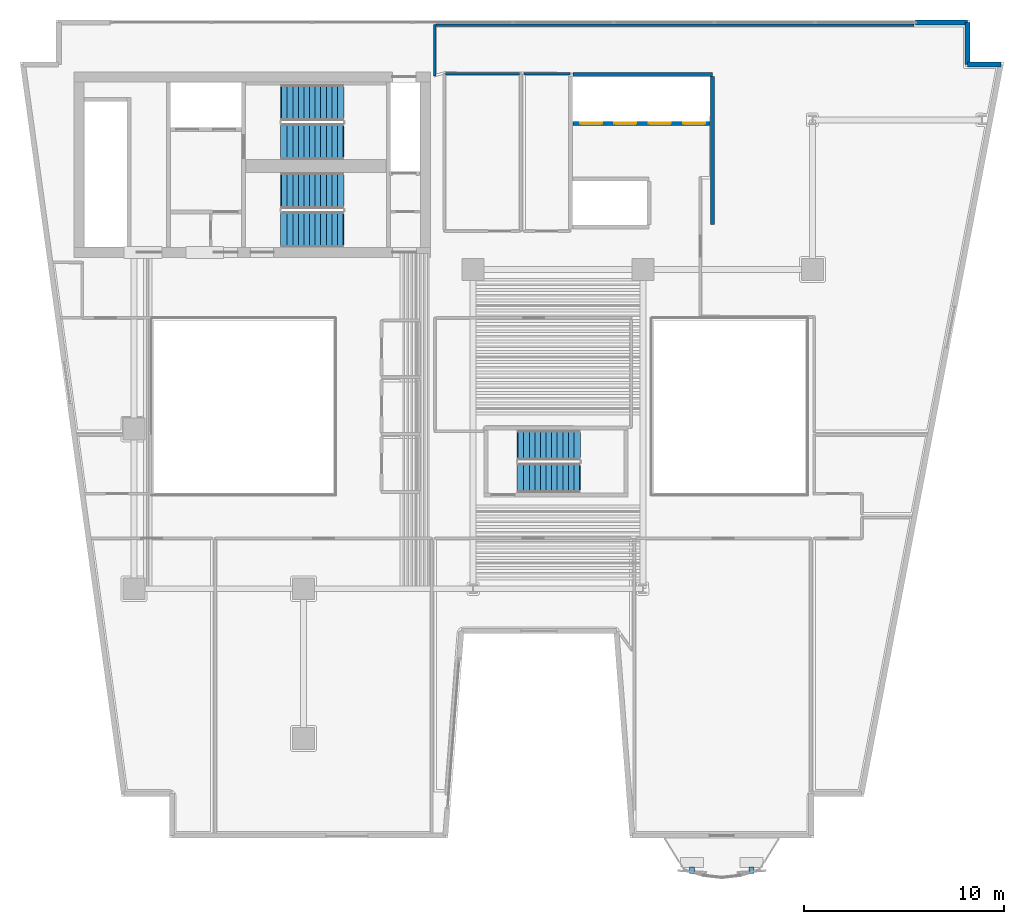
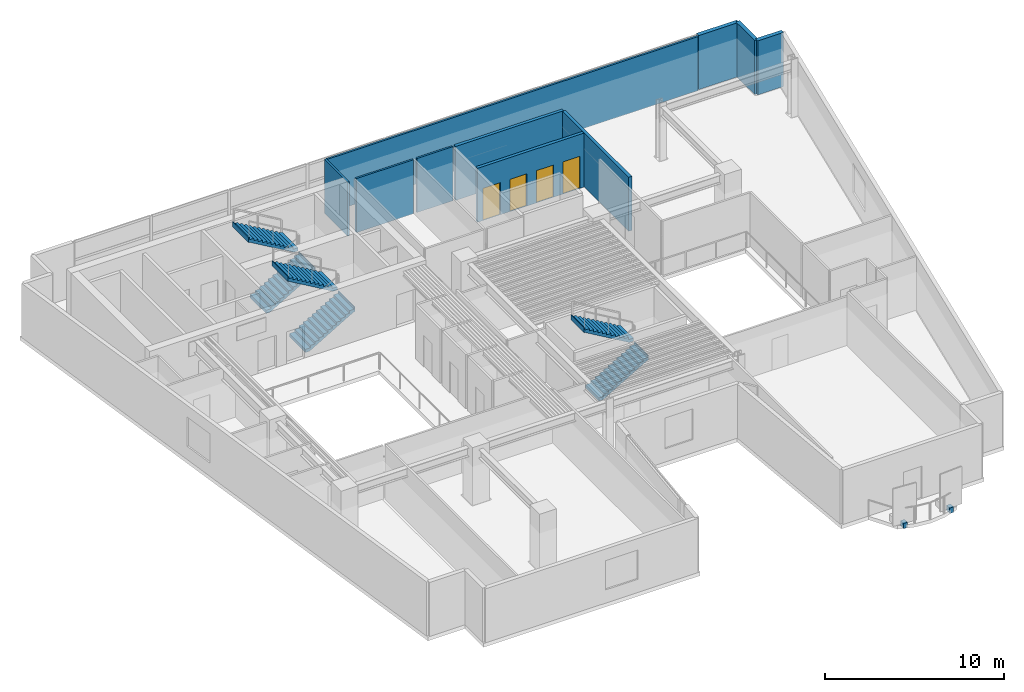
# One storey, part 8 of 13: 10 walls, 6 stair flights, 4 doors, 2 discrete accessories, 4 openings, 3 elements without a shape of their own.
"""IFC4 building model written with IfcOpenShell, lengths in metres."""

from ifc_helpers import new_model, si_unit, direction, frame, frame_2d, origin, origin_2d, place, context, subcontext, project, spatial, polyline, rectangle, outline, extrude, material, layer, layer_set, type_object, element, fill, aggregate, save


model = new_model("IFC4")

# Units and contexts
model_context = context("Model", 3, precision=1e-05, world=origin(), true_north=direction((0.0, 1.0)))
body_context = subcontext(model_context, "Body", "Model", "MODEL_VIEW")
ifc_project = project(units=[si_unit("LENGTHUNIT", "METRE"), si_unit("AREAUNIT", "SQUARE_METRE"), si_unit("VOLUMEUNIT", "CUBIC_METRE"), si_unit("PLANEANGLEUNIT", "RADIAN"), si_unit("MASSUNIT", "GRAM", prefix="KILO")], contexts=[model_context])

# Site, building, storey
site_placement = place(None, origin())
site = spatial("IfcSite", under=ifc_project, at=site_placement, CompositionType="ELEMENT")
building_placement = place(site_placement, origin())
building = spatial("IfcBuilding", under=site, at=building_placement, Name="Caeloran Harvest Quay", CompositionType="ELEMENT")
storey_placement = place(building_placement, frame((0.0, 0.0, 123.25)))
storey = spatial("IfcBuildingStorey", under=building, at=storey_placement, Name="L28", CompositionType="ELEMENT", Elevation=123.25)

# Walls
ifc_material_1 = material(Name="Precast concrete C50/60", Category="concrete")
ifc_layer_1 = layer(ifc_material_1, 0.260009765625, Name="Precast concrete C50/60")
ifc_layer_set_1 = layer_set([ifc_layer_1], Name="Precast concrete C50/60")
wall_type_1 = type_object("IfcWallType", Name="ENV-WALL-EW-260", PredefinedType="STANDARD", material=ifc_layer_set_1)
wall_1_placement = place(storey_placement, frame((47.669921875, 43.3701171875, 0.0), z_axis=(0.0, 0.0, 1.0), x_axis=(1.0, 0.0, 0.0)))
element("IfcWall", 1, at=wall_1_placement, inside=storey, type_object=wall_type_1, Name="L28 Exterior Facade Corner Pier Wall 6B", PredefinedType="STANDARD", context=body_context, shape_type="SweptSolid", body=[
    extrude(rectangle(XDim=2.60009765625, YDim=0.260009765625, at=frame_2d((1.300048828125, 0.0))), origin(), (0.0, 0.0, 1.0), 3.68994140625),
])
wall_2_placement = place(storey_placement, frame((50.27001953125, 43.3701171875, 0.0), z_axis=(0.0, 0.0, 1.0), x_axis=(0.0, -1.0, 0.0)))
element("IfcWall", 2, at=wall_2_placement, inside=storey, type_object=wall_type_1, Name="L28 Exterior Precast Concrete Facade Wall 7", PredefinedType="STANDARD", context=body_context, shape_type="SweptSolid", body=[
    extrude(rectangle(XDim=2.10009765625, YDim=0.260009765625, at=frame_2d((1.050048828125, 0.0))), origin(), (0.0, 0.0, 1.0), 3.68994140625),
])
wall_3_placement = place(storey_placement, frame((50.27001953125, 41.27001953125, 0.0), z_axis=(0.0, 0.0, 1.0), x_axis=(1.0, 0.0, 0.0)))
element("IfcWall", 3, at=wall_3_placement, inside=storey, type_object=wall_type_1, Name="L28 Exterior Precast Concrete Facade Wall 8", PredefinedType="STANDARD", context=body_context, shape_type="SweptSolid", body=[
    extrude(rectangle(XDim=1.671875, YDim=0.260009765625, at=frame_2d((0.8359375, 0.0))), origin(), (0.0, 0.0, 1.0), 3.68994140625),
])
ifc_material_2 = material(Name="Twin-Stud Mineral-Wool Acoustic Gypsum Partition", Category="gypsum")
ifc_layer_2 = layer(ifc_material_2, 0.125, Name="Twin-Stud Mineral-Wool Acoustic Gypsum Partition")
ifc_layer_set_2 = layer_set([ifc_layer_2], Name="Twin-Stud Mineral-Wool Acoustic Gypsum Partition")
wall_type_2 = type_object("IfcWallType", Name="INT-WALL-PW-125", PredefinedType="PARTITIONING", material=ifc_layer_set_2)
wall_4_placement = place(storey_placement, frame((24.117431640625, 40.800048828125, 0.0), z_axis=(0.0, 0.0, 1.0), x_axis=(1.0, 0.0, 0.0)))
element("IfcWall", 4, at=wall_4_placement, inside=storey, type_object=wall_type_2, Name="L28 Crop Phenotyping West Laboratory Partition Wall", PredefinedType="PARTITIONING", context=body_context, shape_type="SweptSolid", body=[
    extrude(rectangle(XDim=3.695068359375, YDim=0.125, at=frame_2d((1.84765625, 0.0))), origin(), (0.0, 0.0, 1.0), 3.68994140625),
])
wall_5_placement = place(storey_placement, frame((28.0400390625, 40.800048828125, 0.0), z_axis=(0.0, 0.0, 1.0), x_axis=(1.0, 0.0, 0.0)))
element("IfcWall", 5, at=wall_5_placement, inside=storey, type_object=wall_type_2, Name="L28 Genomics Sequencing East Studio Partition Wall", PredefinedType="PARTITIONING", context=body_context, shape_type="SweptSolid", body=[
    extrude(rectangle(XDim=2.31005859375, YDim=0.125, at=frame_2d((1.155029296875, 0.0))), origin(), (0.0, 0.0, 1.0), 3.68994140625),
])
wall_6_placement = place(storey_placement, frame((23.580078125, 40.693115234375, 0.0), z_axis=(0.0, 0.0, 1.0), x_axis=(0.0, 1.0, 0.0)))
element("IfcWall", 6, at=wall_6_placement, inside=storey, type_object=wall_type_2, Name="Controlled-Climate Simulation Lab 10 Partition Wall", PredefinedType="PARTITIONING", context=body_context, shape_type="SweptSolid", body=[
    extrude(rectangle(XDim=2.57177734375, YDim=0.125, at=frame_2d((1.285888671875, 0.0))), origin(), (0.0, 0.0, 1.0), 3.68994140625),
])
wall_7_placement = place(storey_placement, frame((23.6474609375, 43.239990234375, 0.0), z_axis=(0.0, 0.0, 1.0), x_axis=(1.0, 0.0, 0.0)))
element("IfcWall", 7, at=wall_7_placement, inside=storey, type_object=wall_type_2, Name="Controlled-Climate Simulation Lab 10 Partition Wall", PredefinedType="PARTITIONING", context=body_context, shape_type="SweptSolid", body=[
    extrude(rectangle(XDim=23.947998046875, YDim=0.125, at=frame_2d((11.97412109375, 0.0))), origin(), (0.0, 0.0, 1.0), 3.68994140625),
])
ifc_material_3 = material(Name="Concrete C50/60", Category="concrete")
ifc_layer_3 = layer(ifc_material_3, 0.199951171875, Name="Concrete C50/60")
ifc_layer_set_3 = layer_set([ifc_layer_3], Name="Concrete C50/60")
wall_type_3 = type_object("IfcWallType", Name="INT-WALL-SW-200", PredefinedType="PARTITIONING", material=ifc_layer_set_3)
wall_8_placement = place(storey_placement, frame((30.5, 40.780029296875, 0.0), z_axis=(0.0, 0.0, 1.0), x_axis=(1.0, 0.0, 0.0)))
element("IfcWall", 8, at=wall_8_placement, inside=storey, type_object=wall_type_3, Name="L28 Bank 2 Lift Shaft North Wall", PredefinedType="PARTITIONING", context=body_context, shape_type="SweptSolid", body=[
    extrude(rectangle(XDim=6.97998046875, YDim=0.199951171875, at=frame_2d((3.489990234375, 0.0))), origin(), (0.0, 0.0, 1.0), 3.68994140625),
])
wall_9_placement = place(storey_placement, frame((37.47998046875, 33.239990234375, 0.0), z_axis=(0.0, 0.0, 1.0), x_axis=(0.0, 1.0, 0.0)))
element("IfcWall", 9, at=wall_9_placement, inside=storey, type_object=wall_type_3, Name="L28 Bank 2 Lift Shaft East Wall", PredefinedType="PARTITIONING", context=body_context, shape_type="SweptSolid", body=[
    extrude(rectangle(XDim=7.419921875, YDim=0.199951171875, at=frame_2d((3.7099609375, 0.0))), origin(), (0.0, 0.0, 1.0), 3.68994140625),
])

# Wall, openings, doors
wall_10_placement = place(storey_placement, frame((30.5, 38.320068359375, 0.0), z_axis=(0.0, 0.0, 1.0), x_axis=(1.0, 0.0, 0.0)))
wall_10 = element("IfcWall", 10, at=wall_10_placement, inside=storey, type_object=wall_type_3, Name="L28 Bank 2 Lift Landing Front Wall", PredefinedType="PARTITIONING", context=body_context, shape_type="SweptSolid", body=[
    extrude(rectangle(XDim=6.860107421875, YDim=0.199951171875, at=frame_2d((3.43017578125, 0.0))), origin(), (0.0, 0.0, 1.0), 3.68994140625),
])
opening_1_placement = place(wall_10_placement, frame((0.360107421875, 0.0, 0.0)))
opening_1 = element("IfcOpeningElement", 11, at=opening_1_placement, cuts=wall_10, Name="Opening LD-01", PredefinedType="OPENING", context=body_context, shape_type="SweptSolid", body=[
    extrude(rectangle(XDim=1.10009765625, YDim=2.199951171875, at=frame_2d((0.550048828125, 1.10009765625))), frame((0.0, 0.10986328125, 0.0), z_axis=(0.0, -1.0, 0.0), x_axis=(1.0, 0.0, 0.0)), (0.0, 0.0, 1.0), 0.219970703125),
])
opening_2_placement = place(wall_10_placement, frame((2.080078125, 0.0, 0.0)))
opening_2 = element("IfcOpeningElement", 12, at=opening_2_placement, cuts=wall_10, Name="Opening LD-01", PredefinedType="OPENING", context=body_context, shape_type="SweptSolid", body=[
    extrude(rectangle(XDim=1.10009765625, YDim=2.199951171875, at=frame_2d((0.550048828125, 1.10009765625))), frame((0.0, 0.10986328125, 0.0), z_axis=(0.0, -1.0, 0.0), x_axis=(1.0, 0.0, 0.0)), (0.0, 0.0, 1.0), 0.219970703125),
])
opening_3_placement = place(wall_10_placement, frame((3.800048828125, 0.0, 0.0)))
opening_3 = element("IfcOpeningElement", 13, at=opening_3_placement, cuts=wall_10, Name="Opening LD-01", PredefinedType="OPENING", context=body_context, shape_type="SweptSolid", body=[
    extrude(rectangle(XDim=1.10009765625, YDim=2.199951171875, at=frame_2d((0.550048828125, 1.10009765625))), frame((0.0, 0.10986328125, 0.0), z_axis=(0.0, -1.0, 0.0), x_axis=(1.0, 0.0, 0.0)), (0.0, 0.0, 1.0), 0.219970703125),
])
opening_4_placement = place(wall_10_placement, frame((5.52001953125, 0.0, 0.0)))
opening_4 = element("IfcOpeningElement", 14, at=opening_4_placement, cuts=wall_10, Name="Opening LD-01", PredefinedType="OPENING", context=body_context, shape_type="SweptSolid", body=[
    extrude(rectangle(XDim=1.10009765625, YDim=2.199951171875, at=frame_2d((0.550048828125, 1.10009765625))), frame((0.0, 0.10986328125, 0.0), z_axis=(0.0, -1.0, 0.0), x_axis=(1.0, 0.0, 0.0)), (0.0, 0.0, 1.0), 0.219970703125),
])
ifc_material_4 = material(Name="Stainless Steel Grade 316", Category="steel")
door_type = type_object("IfcDoorType", Name="INTDOOR-LD-01", OperationType="NOTDEFINED", PredefinedType="DOOR", material=ifc_material_4)
door_1_placement = place(opening_1_placement, origin())
door_1 = element("IfcDoor", 15, at=door_1_placement, inside=storey, type_object=door_type, Name="Lift P2-1 Sliding Landing Door (L28)", OperationType="DOUBLE_DOOR_SLIDING", OverallHeight=2.199951171875, OverallWidth=1.10009765625, PredefinedType="DOOR", context=body_context, shape_type="SweptSolid", body=[
    extrude(rectangle(XDim=1.10009765625, YDim=2.199951171875, at=frame_2d((0.550048828125, 1.10009765625))), frame((0.0, 0.02490234375, 0.0), z_axis=(0.0, -1.0, 0.0), x_axis=(1.0, 0.0, 0.0)), (0.0, 0.0, 1.0), 0.050048828125),
])
fill(opening_1, door_1)
door_2_placement = place(opening_2_placement, origin())
door_2 = element("IfcDoor", 16, at=door_2_placement, inside=storey, type_object=door_type, Name="Lift P2-2 Sliding Landing Door (L28)", OperationType="DOUBLE_DOOR_SLIDING", OverallHeight=2.199951171875, OverallWidth=1.10009765625, PredefinedType="DOOR", context=body_context, shape_type="SweptSolid", body=[
    extrude(rectangle(XDim=1.10009765625, YDim=2.199951171875, at=frame_2d((0.550048828125, 1.10009765625))), frame((0.0, 0.02490234375, 0.0), z_axis=(0.0, -1.0, 0.0), x_axis=(1.0, 0.0, 0.0)), (0.0, 0.0, 1.0), 0.050048828125),
])
fill(opening_2, door_2)
door_3_placement = place(opening_3_placement, origin())
door_3 = element("IfcDoor", 17, at=door_3_placement, inside=storey, type_object=door_type, Name="Lift P2-3 Sliding Landing Door (L28)", OperationType="DOUBLE_DOOR_SLIDING", OverallHeight=2.199951171875, OverallWidth=1.10009765625, PredefinedType="DOOR", context=body_context, shape_type="SweptSolid", body=[
    extrude(rectangle(XDim=1.10009765625, YDim=2.199951171875, at=frame_2d((0.550048828125, 1.10009765625))), frame((0.0, 0.02490234375, 0.0), z_axis=(0.0, -1.0, 0.0), x_axis=(1.0, 0.0, 0.0)), (0.0, 0.0, 1.0), 0.050048828125),
])
fill(opening_3, door_3)
door_4_placement = place(opening_4_placement, origin())
door_4 = element("IfcDoor", 18, at=door_4_placement, inside=storey, type_object=door_type, Name="Lift P2-4 Sliding Landing Door (L28)", OperationType="DOUBLE_DOOR_SLIDING", OverallHeight=2.199951171875, OverallWidth=1.10009765625, PredefinedType="DOOR", context=body_context, shape_type="SweptSolid", body=[
    extrude(rectangle(XDim=1.10009765625, YDim=2.199951171875, at=frame_2d((0.550048828125, 1.10009765625))), frame((0.0, 0.02490234375, 0.0), z_axis=(0.0, -1.0, 0.0), x_axis=(1.0, 0.0, 0.0)), (0.0, 0.0, 1.0), 0.050048828125),
])
fill(opening_4, door_4)

# Stair, stair flights
stair_type_1 = type_object("IfcStairType", Name="STAIR-STC-180", PredefinedType="HALF_TURN_STAIR", material=ifc_material_3)
stair_1_placement = place(storey_placement, origin())
stair_1 = element("IfcStair", 19, at=stair_1_placement, inside=storey, type_object=stair_type_1, Name="L28 Core Pressurized Exit Stair ST-C1", PredefinedType="HALF_TURN_STAIR")
stair_flight_type_1 = type_object("IfcStairFlightType", Name="FLIGHT-STC-180", PredefinedType="STRAIGHT", material=ifc_material_3)
stair_flight_1_placement = place(storey_placement, frame((15.89990234375, 37.39990234375, 0.0), z_axis=(0.0, 0.0, 1.0), x_axis=(1.0, 0.0, 0.0)))
stair_flight_1 = element("IfcStairFlight", 20, at=stair_flight_1_placement, type_object=stair_flight_type_1, Name="ST-C1 flight 1", NumberOfRisers=12, NumberOfTreads=11, PredefinedType="STRAIGHT", RiserHeight=0.164583333, TreadLength=0.28, context=body_context, shape_type="SweptSolid", body=[
    extrude(outline(polyline([(-0.054931640625, -0.044921875), (-0.054931640625, -0.031982421875), (-0.054931640625, -0.018798828125), (-0.054931640625, -0.005615234375), (-0.054931640625, 0.00732421875), (-0.054931640625, 0.0205078125), (-0.054931640625, 0.03369140625), (-0.054931640625, 0.046630859375), (-0.054931640625, 0.059814453125), (-0.054931640625, 0.072998046875), (-0.054931640625, 0.0859375), (-0.054931640625, 0.09912109375), (-0.054931640625, 0.1123046875), (-0.054931640625, 0.125244140625), (-0.054931640625, 0.138427734375), (-0.054931640625, 0.1513671875), (-0.054931640625, 0.16455078125), (0.280029296875, 0.16455078125), (0.280029296875, 0.3291015625), (0.56005859375, 0.3291015625), (0.56005859375, 0.49365234375), (0.840087890625, 0.49365234375), (0.840087890625, 0.658447265625), (1.1201171875, 0.658447265625), (1.1201171875, 0.822998046875), (1.39990234375, 0.822998046875), (1.39990234375, 0.987548828125), (1.679931640625, 0.987548828125), (1.679931640625, 1.152099609375), (1.9599609375, 1.152099609375), (1.9599609375, 1.316650390625), (2.239990234375, 1.316650390625), (2.239990234375, 1.481201171875), (2.52001953125, 1.481201171875), (2.52001953125, 1.645751953125), (2.800048828125, 1.645751953125), (2.800048828125, 1.810302734375), (3.080078125, 1.810302734375), (3.080078125, 1.97509765625), (3.135009765625, 1.97509765625), (3.135009765625, 1.953857421875), (3.135009765625, 1.9326171875), (3.135009765625, 1.91162109375), (3.135009765625, 1.890380859375), (3.135009765625, 1.869140625), (3.135009765625, 1.84814453125), (3.135009765625, 1.826904296875), (3.135009765625, 1.8056640625), (3.135009765625, 1.78466796875), (3.135009765625, 1.763427734375), (3.135009765625, 1.7421875), (3.135009765625, 1.72119140625), (3.135009765625, 1.699951171875), (3.135009765625, 1.678955078125), (3.135009765625, 1.65771484375), (3.135009765625, 1.636474609375), (3.080078125, 1.636474609375), (0.21923828125, -0.044921875), (-0.054931640625, -0.044921875)])), frame((0.0, 0.89990234375, 0.0), z_axis=(0.0, -1.0, 0.0), x_axis=(1.0, 0.0, 0.0)), (0.0, 0.0, 1.0), 1.800048828125),
])
stair_flight_2_placement = place(storey_placement, frame((18.97998046875, 39.35009765625, 1.97509765625), z_axis=(0.0, 0.0, 1.0), x_axis=(-1.0, 0.0, 0.0)))
stair_flight_2 = element("IfcStairFlight", 21, at=stair_flight_2_placement, type_object=stair_flight_type_1, Name="ST-C1 flight 2", NumberOfRisers=12, NumberOfTreads=11, PredefinedType="STRAIGHT", RiserHeight=0.164583333, TreadLength=0.28, context=body_context, shape_type="SweptSolid", body=[
    extrude(outline(polyline([(-0.054931640625, -0.044921875), (-0.054931640625, -0.031982421875), (-0.054931640625, -0.018798828125), (-0.054931640625, -0.005615234375), (-0.054931640625, 0.00732421875), (-0.054931640625, 0.0205078125), (-0.054931640625, 0.03369140625), (-0.054931640625, 0.046630859375), (-0.054931640625, 0.059814453125), (-0.054931640625, 0.072998046875), (-0.054931640625, 0.0859375), (-0.054931640625, 0.09912109375), (-0.054931640625, 0.1123046875), (-0.054931640625, 0.125244140625), (-0.054931640625, 0.138427734375), (-0.054931640625, 0.1513671875), (-0.054931640625, 0.16455078125), (0.280029296875, 0.16455078125), (0.280029296875, 0.3291015625), (0.56005859375, 0.3291015625), (0.56005859375, 0.49365234375), (0.840087890625, 0.49365234375), (0.840087890625, 0.658447265625), (1.1201171875, 0.658447265625), (1.1201171875, 0.822998046875), (1.39990234375, 0.822998046875), (1.39990234375, 0.987548828125), (1.679931640625, 0.987548828125), (1.679931640625, 1.152099609375), (1.9599609375, 1.152099609375), (1.9599609375, 1.316650390625), (2.239990234375, 1.316650390625), (2.239990234375, 1.481201171875), (2.52001953125, 1.481201171875), (2.52001953125, 1.645751953125), (2.800048828125, 1.645751953125), (2.800048828125, 1.810302734375), (3.080078125, 1.810302734375), (3.080078125, 1.97509765625), (3.135009765625, 1.97509765625), (3.135009765625, 1.953857421875), (3.135009765625, 1.9326171875), (3.135009765625, 1.91162109375), (3.135009765625, 1.890380859375), (3.135009765625, 1.869140625), (3.135009765625, 1.84814453125), (3.135009765625, 1.826904296875), (3.135009765625, 1.8056640625), (3.135009765625, 1.78466796875), (3.135009765625, 1.763427734375), (3.135009765625, 1.7421875), (3.135009765625, 1.72119140625), (3.135009765625, 1.699951171875), (3.135009765625, 1.678955078125), (3.135009765625, 1.65771484375), (3.135009765625, 1.636474609375), (3.080078125, 1.636474609375), (0.21923828125, -0.044921875), (-0.054931640625, -0.044921875)])), frame((0.0, 0.89990234375, 0.0), z_axis=(0.0, -1.0, 0.0), x_axis=(1.0, 0.0, 0.0)), (0.0, 0.0, 1.0), 1.800048828125),
])
aggregate(stair_1, [stair_flight_1, stair_flight_2])

stair_2_placement = place(storey_placement, origin())
stair_2 = element("IfcStair", 22, at=stair_2_placement, inside=storey, type_object=stair_type_1, Name="L28 Core Pressurized Exit Stair ST-C2", PredefinedType="HALF_TURN_STAIR")
stair_flight_3_placement = place(storey_placement, frame((15.89990234375, 33.0, 0.0), z_axis=(0.0, 0.0, 1.0), x_axis=(1.0, 0.0, 0.0)))
stair_flight_3 = element("IfcStairFlight", 23, at=stair_flight_3_placement, type_object=stair_flight_type_1, Name="ST-C2 flight 1", NumberOfRisers=12, NumberOfTreads=11, PredefinedType="STRAIGHT", RiserHeight=0.164583333, TreadLength=0.28, context=body_context, shape_type="SweptSolid", body=[
    extrude(outline(polyline([(-0.054931640625, -0.044921875), (-0.054931640625, -0.031982421875), (-0.054931640625, -0.018798828125), (-0.054931640625, -0.005615234375), (-0.054931640625, 0.00732421875), (-0.054931640625, 0.0205078125), (-0.054931640625, 0.03369140625), (-0.054931640625, 0.046630859375), (-0.054931640625, 0.059814453125), (-0.054931640625, 0.072998046875), (-0.054931640625, 0.0859375), (-0.054931640625, 0.09912109375), (-0.054931640625, 0.1123046875), (-0.054931640625, 0.125244140625), (-0.054931640625, 0.138427734375), (-0.054931640625, 0.1513671875), (-0.054931640625, 0.16455078125), (0.280029296875, 0.16455078125), (0.280029296875, 0.3291015625), (0.56005859375, 0.3291015625), (0.56005859375, 0.49365234375), (0.840087890625, 0.49365234375), (0.840087890625, 0.658447265625), (1.1201171875, 0.658447265625), (1.1201171875, 0.822998046875), (1.39990234375, 0.822998046875), (1.39990234375, 0.987548828125), (1.679931640625, 0.987548828125), (1.679931640625, 1.152099609375), (1.9599609375, 1.152099609375), (1.9599609375, 1.316650390625), (2.239990234375, 1.316650390625), (2.239990234375, 1.481201171875), (2.52001953125, 1.481201171875), (2.52001953125, 1.645751953125), (2.800048828125, 1.645751953125), (2.800048828125, 1.810302734375), (3.080078125, 1.810302734375), (3.080078125, 1.97509765625), (3.135009765625, 1.97509765625), (3.135009765625, 1.953857421875), (3.135009765625, 1.9326171875), (3.135009765625, 1.91162109375), (3.135009765625, 1.890380859375), (3.135009765625, 1.869140625), (3.135009765625, 1.84814453125), (3.135009765625, 1.826904296875), (3.135009765625, 1.8056640625), (3.135009765625, 1.78466796875), (3.135009765625, 1.763427734375), (3.135009765625, 1.7421875), (3.135009765625, 1.72119140625), (3.135009765625, 1.699951171875), (3.135009765625, 1.678955078125), (3.135009765625, 1.65771484375), (3.135009765625, 1.636474609375), (3.080078125, 1.636474609375), (0.21923828125, -0.044921875), (-0.054931640625, -0.044921875)])), frame((0.0, 0.89990234375, 0.0), z_axis=(0.0, -1.0, 0.0), x_axis=(1.0, 0.0, 0.0)), (0.0, 0.0, 1.0), 1.800048828125),
])
stair_flight_4_placement = place(storey_placement, frame((18.97998046875, 34.949951171875, 1.97509765625), z_axis=(0.0, 0.0, 1.0), x_axis=(-1.0, 0.0, 0.0)))
stair_flight_4 = element("IfcStairFlight", 24, at=stair_flight_4_placement, type_object=stair_flight_type_1, Name="ST-C2 flight 2", NumberOfRisers=12, NumberOfTreads=11, PredefinedType="STRAIGHT", RiserHeight=0.164583333, TreadLength=0.28, context=body_context, shape_type="SweptSolid", body=[
    extrude(outline(polyline([(-0.054931640625, -0.044921875), (-0.054931640625, -0.031982421875), (-0.054931640625, -0.018798828125), (-0.054931640625, -0.005615234375), (-0.054931640625, 0.00732421875), (-0.054931640625, 0.0205078125), (-0.054931640625, 0.03369140625), (-0.054931640625, 0.046630859375), (-0.054931640625, 0.059814453125), (-0.054931640625, 0.072998046875), (-0.054931640625, 0.0859375), (-0.054931640625, 0.09912109375), (-0.054931640625, 0.1123046875), (-0.054931640625, 0.125244140625), (-0.054931640625, 0.138427734375), (-0.054931640625, 0.1513671875), (-0.054931640625, 0.16455078125), (0.280029296875, 0.16455078125), (0.280029296875, 0.3291015625), (0.56005859375, 0.3291015625), (0.56005859375, 0.49365234375), (0.840087890625, 0.49365234375), (0.840087890625, 0.658447265625), (1.1201171875, 0.658447265625), (1.1201171875, 0.822998046875), (1.39990234375, 0.822998046875), (1.39990234375, 0.987548828125), (1.679931640625, 0.987548828125), (1.679931640625, 1.152099609375), (1.9599609375, 1.152099609375), (1.9599609375, 1.316650390625), (2.239990234375, 1.316650390625), (2.239990234375, 1.481201171875), (2.52001953125, 1.481201171875), (2.52001953125, 1.645751953125), (2.800048828125, 1.645751953125), (2.800048828125, 1.810302734375), (3.080078125, 1.810302734375), (3.080078125, 1.97509765625), (3.135009765625, 1.97509765625), (3.135009765625, 1.953857421875), (3.135009765625, 1.9326171875), (3.135009765625, 1.91162109375), (3.135009765625, 1.890380859375), (3.135009765625, 1.869140625), (3.135009765625, 1.84814453125), (3.135009765625, 1.826904296875), (3.135009765625, 1.8056640625), (3.135009765625, 1.78466796875), (3.135009765625, 1.763427734375), (3.135009765625, 1.7421875), (3.135009765625, 1.72119140625), (3.135009765625, 1.699951171875), (3.135009765625, 1.678955078125), (3.135009765625, 1.65771484375), (3.135009765625, 1.636474609375), (3.080078125, 1.636474609375), (0.21923828125, -0.044921875), (-0.054931640625, -0.044921875)])), frame((0.0, 0.89990234375, 0.0), z_axis=(0.0, -1.0, 0.0), x_axis=(1.0, 0.0, 0.0)), (0.0, 0.0, 1.0), 1.800048828125),
])
aggregate(stair_2, [stair_flight_3, stair_flight_4])

stair_type_2 = type_object("IfcStairType", Name="STAIR-STW-150", PredefinedType="HALF_TURN_STAIR", material=ifc_material_3)
stair_3_placement = place(storey_placement, origin())
stair_3 = element("IfcStair", 25, at=stair_3_placement, inside=storey, type_object=stair_type_2, Name="L28 East Wing Protected Exit Stair ST-W1", PredefinedType="HALF_TURN_STAIR")
stair_flight_type_2 = type_object("IfcStairFlightType", Name="FLIGHT-STW-150", PredefinedType="STRAIGHT", material=ifc_material_3)
stair_flight_5_placement = place(storey_placement, frame((27.75, 20.550048828125, 0.0), z_axis=(0.0, 0.0, 1.0), x_axis=(1.0, 0.0, 0.0)))
stair_flight_5 = element("IfcStairFlight", 26, at=stair_flight_5_placement, type_object=stair_flight_type_2, Name="ST-W1 flight 1", NumberOfRisers=12, NumberOfTreads=11, PredefinedType="STRAIGHT", RiserHeight=0.164583333, TreadLength=0.28, context=body_context, shape_type="SweptSolid", body=[
    extrude(outline(polyline([(-0.054931640625, -0.044921875), (-0.054931640625, -0.031982421875), (-0.054931640625, -0.018798828125), (-0.054931640625, -0.005615234375), (-0.054931640625, 0.00732421875), (-0.054931640625, 0.0205078125), (-0.054931640625, 0.03369140625), (-0.054931640625, 0.046630859375), (-0.054931640625, 0.059814453125), (-0.054931640625, 0.072998046875), (-0.054931640625, 0.0859375), (-0.054931640625, 0.09912109375), (-0.054931640625, 0.1123046875), (-0.054931640625, 0.125244140625), (-0.054931640625, 0.138427734375), (-0.054931640625, 0.1513671875), (-0.054931640625, 0.16455078125), (0.280029296875, 0.16455078125), (0.280029296875, 0.3291015625), (0.56005859375, 0.3291015625), (0.56005859375, 0.49365234375), (0.840087890625, 0.49365234375), (0.840087890625, 0.658447265625), (1.1201171875, 0.658447265625), (1.1201171875, 0.822998046875), (1.39990234375, 0.822998046875), (1.39990234375, 0.987548828125), (1.679931640625, 0.987548828125), (1.679931640625, 1.152099609375), (1.9599609375, 1.152099609375), (1.9599609375, 1.316650390625), (2.239990234375, 1.316650390625), (2.239990234375, 1.481201171875), (2.52001953125, 1.481201171875), (2.52001953125, 1.645751953125), (2.800048828125, 1.645751953125), (2.800048828125, 1.810302734375), (3.080078125, 1.810302734375), (3.080078125, 1.97509765625), (3.135009765625, 1.97509765625), (3.135009765625, 1.953857421875), (3.135009765625, 1.9326171875), (3.135009765625, 1.91162109375), (3.135009765625, 1.890380859375), (3.135009765625, 1.869140625), (3.135009765625, 1.84814453125), (3.135009765625, 1.826904296875), (3.135009765625, 1.8056640625), (3.135009765625, 1.78466796875), (3.135009765625, 1.763427734375), (3.135009765625, 1.7421875), (3.135009765625, 1.72119140625), (3.135009765625, 1.699951171875), (3.135009765625, 1.678955078125), (3.135009765625, 1.65771484375), (3.135009765625, 1.636474609375), (3.080078125, 1.636474609375), (0.21923828125, -0.044921875), (-0.054931640625, -0.044921875)])), frame((0.0, 0.75, 0.0), z_axis=(0.0, -1.0, 0.0), x_axis=(1.0, 0.0, 0.0)), (0.0, 0.0, 1.0), 1.5),
])
stair_flight_6_placement = place(storey_placement, frame((30.830078125, 22.199951171875, 1.97509765625), z_axis=(0.0, 0.0, 1.0), x_axis=(-1.0, 0.0, 0.0)))
stair_flight_6 = element("IfcStairFlight", 27, at=stair_flight_6_placement, type_object=stair_flight_type_2, Name="ST-W1 flight 2", NumberOfRisers=12, NumberOfTreads=11, PredefinedType="STRAIGHT", RiserHeight=0.164583333, TreadLength=0.28, context=body_context, shape_type="SweptSolid", body=[
    extrude(outline(polyline([(-0.054931640625, -0.044921875), (-0.054931640625, -0.031982421875), (-0.054931640625, -0.018798828125), (-0.054931640625, -0.005615234375), (-0.054931640625, 0.00732421875), (-0.054931640625, 0.0205078125), (-0.054931640625, 0.03369140625), (-0.054931640625, 0.046630859375), (-0.054931640625, 0.059814453125), (-0.054931640625, 0.072998046875), (-0.054931640625, 0.0859375), (-0.054931640625, 0.09912109375), (-0.054931640625, 0.1123046875), (-0.054931640625, 0.125244140625), (-0.054931640625, 0.138427734375), (-0.054931640625, 0.1513671875), (-0.054931640625, 0.16455078125), (0.280029296875, 0.16455078125), (0.280029296875, 0.3291015625), (0.56005859375, 0.3291015625), (0.56005859375, 0.49365234375), (0.840087890625, 0.49365234375), (0.840087890625, 0.658447265625), (1.1201171875, 0.658447265625), (1.1201171875, 0.822998046875), (1.39990234375, 0.822998046875), (1.39990234375, 0.987548828125), (1.679931640625, 0.987548828125), (1.679931640625, 1.152099609375), (1.9599609375, 1.152099609375), (1.9599609375, 1.316650390625), (2.239990234375, 1.316650390625), (2.239990234375, 1.481201171875), (2.52001953125, 1.481201171875), (2.52001953125, 1.645751953125), (2.800048828125, 1.645751953125), (2.800048828125, 1.810302734375), (3.080078125, 1.810302734375), (3.080078125, 1.97509765625), (3.135009765625, 1.97509765625), (3.135009765625, 1.953857421875), (3.135009765625, 1.9326171875), (3.135009765625, 1.91162109375), (3.135009765625, 1.890380859375), (3.135009765625, 1.869140625), (3.135009765625, 1.84814453125), (3.135009765625, 1.826904296875), (3.135009765625, 1.8056640625), (3.135009765625, 1.78466796875), (3.135009765625, 1.763427734375), (3.135009765625, 1.7421875), (3.135009765625, 1.72119140625), (3.135009765625, 1.699951171875), (3.135009765625, 1.678955078125), (3.135009765625, 1.65771484375), (3.135009765625, 1.636474609375), (3.080078125, 1.636474609375), (0.21923828125, -0.044921875), (-0.054931640625, -0.044921875)])), frame((0.0, 0.75, 0.0), z_axis=(0.0, -1.0, 0.0), x_axis=(1.0, 0.0, 0.0)), (0.0, 0.0, 1.0), 1.5),
])
aggregate(stair_3, [stair_flight_5, stair_flight_6])

# Discrete accessories
ifc_material_5 = material(Name="Stainless Steel Grade 316L", Category="steel")
discrete_accessory_type = type_object("IfcDiscreteAccessoryType", Name="BRACKET-SCREEN-SS", PredefinedType="BRACKET", material=ifc_material_5)
for number, where, z_axis, x_axis, name in (
    (28, (39.44921875, 0.888671875, -0.22021484375), (0.0, 0.0, 1.0), (1.0, 0.0, 0.0), "L28 Balcony Screen Support Bracket 1"),
    (29, (36.4658203125, 0.888671875, -0.22021484375), (0.0, 0.0, 1.0), (1.0, 0.0, 0.0), "L28 Balcony Screen Support Bracket 2"),
):
    element("IfcDiscreteAccessory", number, at=place(storey_placement, frame(where, z_axis=z_axis, x_axis=x_axis)), inside=storey, type_object=discrete_accessory_type, Name=name, PredefinedType="BRACKET", context=body_context, shape_type="SweptSolid", body=[
        extrude(rectangle(XDim=0.260009765625, YDim=0.340087890625, at=origin_2d()), origin(), (0.0, 0.0, 1.0), 0.360107421875),
    ])

save(model, "model.ifc")
